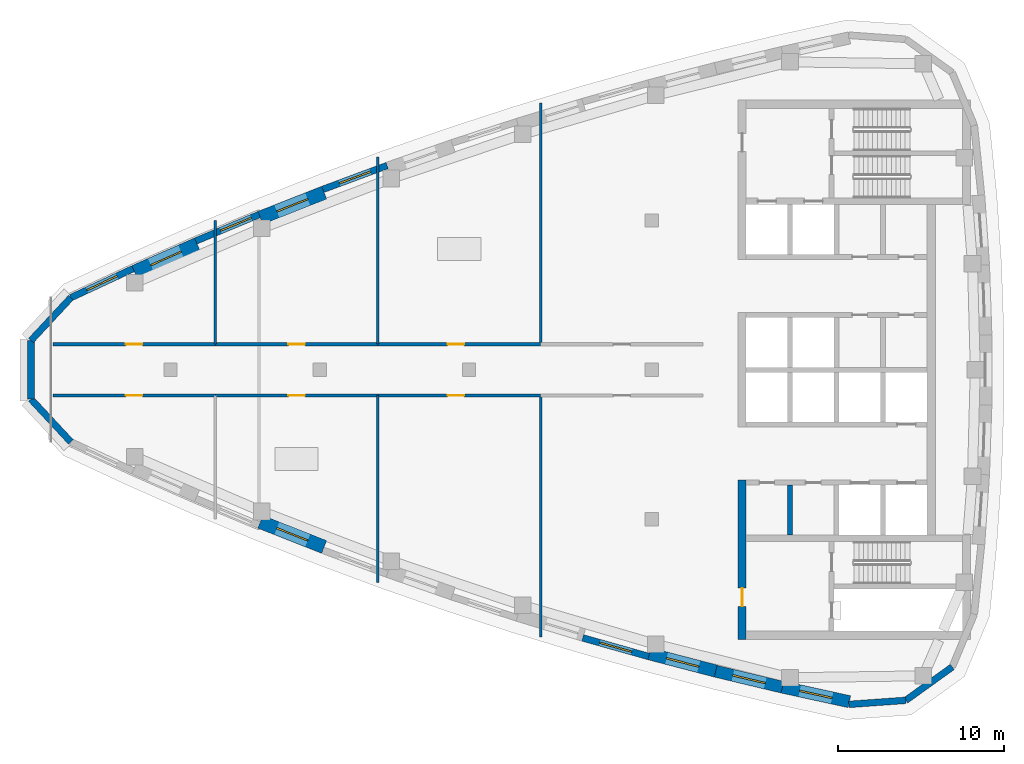
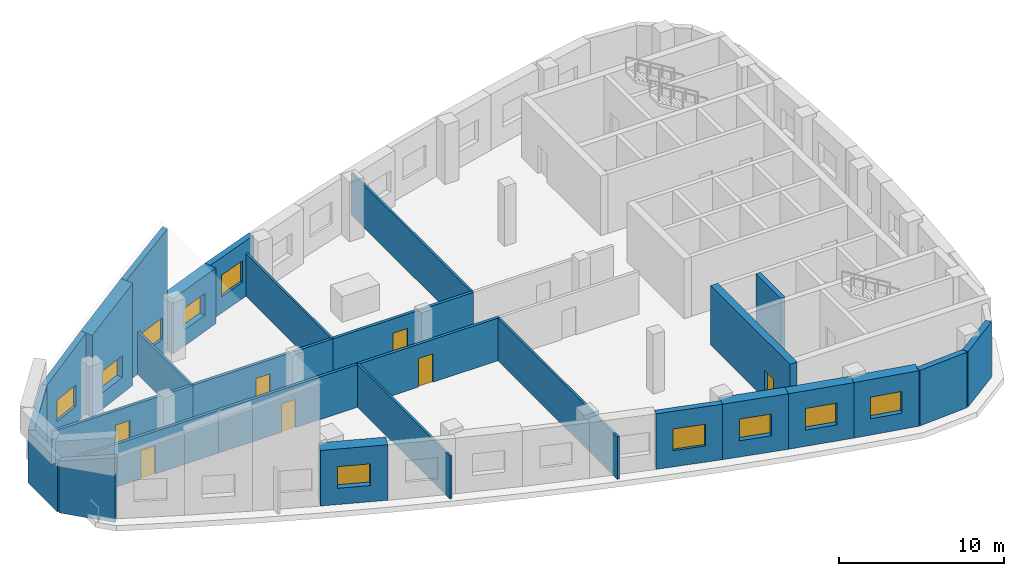
# One storey, part 2 of 7: 28 walls, 10 windows, 7 doors, 17 openings.
"""IFC4 building model written with IfcOpenShell, lengths in metres."""

from ifc_helpers import new_model, si_unit, direction, frame, frame_2d, origin, place, context, subcontext, project, spatial, polyline, rectangle, outline, extrude, material, layer, layer_set, type_object, element, fill, save


model = new_model("IFC4")

# Units and contexts
model_context = context("Model", 3, precision=1e-05, world=origin(), true_north=direction((0.0, 1.0)))
body_context = subcontext(model_context, "Body", "Model", "MODEL_VIEW")
ifc_project = project(units=[si_unit("LENGTHUNIT", "METRE"), si_unit("AREAUNIT", "SQUARE_METRE"), si_unit("VOLUMEUNIT", "CUBIC_METRE"), si_unit("PLANEANGLEUNIT", "RADIAN"), si_unit("MASSUNIT", "GRAM", prefix="KILO")], contexts=[model_context])

# Site, building, storey
site_placement = place(None, origin())
site = spatial("IfcSite", under=ifc_project, at=site_placement, CompositionType="ELEMENT")
building_placement = place(site_placement, origin())
building = spatial("IfcBuilding", under=site, at=building_placement, Name="Ostrand Prow Hotel Tower", CompositionType="ELEMENT")
storey_placement = place(building_placement, frame((0.0, 0.0, 323.0)))
storey = spatial("IfcBuildingStorey", under=building, at=storey_placement, Name="C4", CompositionType="ELEMENT", Elevation=323.0)

# Wall
ifc_material_1 = material(Name="Concrete C40/50", Category="concrete")
ifc_layer_1 = layer(ifc_material_1, 0.300048828125)
ifc_layer_set_1 = layer_set([ifc_layer_1], Name="Concrete C40/50")
wall_type_1 = type_object("IfcWallType", Name="Core wall 300 C40/50", PredefinedType="SHEAR", material=ifc_layer_set_1)
wall_1_placement = place(storey_placement, frame((53.35009765625, -9.949951171875, 0.0), z_axis=(0.0, 0.0, 1.0), x_axis=(0.0, 1.0, 0.0)))
element("IfcWall", 1, at=wall_1_placement, inside=storey, type_object=wall_type_1, Name="Core wall PW-R1-SA", PredefinedType="SHEAR", context=body_context, shape_type="SweptSolid", body=[
    extrude(rectangle(XDim=3.0, YDim=0.300048828125, at=frame_2d((1.5, 0.0))), origin(), (0.0, 0.0, 1.0), 4.39990234375),
])

# Wall, opening, door
ifc_material_2 = material(Name="Concrete C40/50", Category="concrete")
ifc_layer_2 = layer(ifc_material_2, 0.5)
ifc_layer_set_2 = layer_set([ifc_layer_2], Name="Concrete C40/50")
wall_type_2 = type_object("IfcWallType", Name="Core wall 500 C40/50", PredefinedType="SHEAR", material=ifc_layer_set_2)
wall_2_placement = place(storey_placement, frame((50.449951171875, -16.25, 0.0), z_axis=(0.0, 0.0, 1.0), x_axis=(0.0, 1.0, 0.0)))
wall_2 = element("IfcWall", 2, at=wall_2_placement, inside=storey, type_object=wall_type_2, Name="Core wall CW-W-S", PredefinedType="SHEAR", context=body_context, shape_type="SweptSolid", body=[
    extrude(rectangle(XDim=9.60009765625, YDim=0.5, at=frame_2d((4.800048828125, 0.0))), origin(), (0.0, 0.0, 1.0), 4.39990234375),
])
opening_1_placement = place(wall_2_placement, frame((2.0, 0.0, 0.0)))
opening_1 = element("IfcOpeningElement", 3, at=opening_1_placement, cuts=wall_2, Name="Opening FD1", PredefinedType="OPENING", context=body_context, shape_type="SweptSolid", body=[
    extrude(rectangle(XDim=1.10009765625, YDim=2.10009765625, at=frame_2d((0.550048828125, 1.050048828125))), frame((0.0, 0.260009765625, 0.0), z_axis=(0.0, -1.0, 0.0), x_axis=(1.0, 0.0, 0.0)), (0.0, 0.0, 1.0), 0.52001953125),
])
ifc_material_3 = material(Name="Steel fire door", Category="steel")
door_type_1 = type_object("IfcDoorType", Name="Fire door 1100 EI120", OperationType="SINGLE_SWING_RIGHT", PredefinedType="DOOR", material=ifc_material_3)
door_1_placement = place(opening_1_placement, origin())
door_1 = element("IfcDoor", 4, at=door_1_placement, inside=storey, type_object=door_type_1, Name="FIRE DOOR", OperationType="SINGLE_SWING_RIGHT", OverallHeight=2.10009765625, OverallWidth=1.10009765625, PredefinedType="DOOR", context=body_context, shape_type="SweptSolid", body=[
    extrude(rectangle(XDim=1.10009765625, YDim=2.10009765625, at=frame_2d((0.550048828125, 1.050048828125))), frame((0.0, 0.02490234375, 0.0), z_axis=(0.0, -1.0, 0.0), x_axis=(1.0, 0.0, 0.0)), (0.0, 0.0, 1.0), 0.050048828125),
])
fill(opening_1, door_1)

# Walls
ifc_material_4 = material(Name="Plasterboard partition")
ifc_layer_3 = layer(ifc_material_4, 0.14990234375)
ifc_layer_set_3 = layer_set([ifc_layer_3], Name="Plasterboard partition")
wall_type_3 = type_object("IfcWallType", Name="Partition 150 room partition", PredefinedType="PARTITIONING", material=ifc_layer_set_3)
wall_3_placement = place(storey_placement, frame((28.50537109375, -12.828857421875, 0.0), z_axis=(0.0, 0.0, 1.0), x_axis=(0.0, 1.0, 0.0)))
element("IfcWall", 5, at=wall_3_placement, inside=storey, type_object=wall_type_3, Name="ROOM PARTITION", PredefinedType="PARTITIONING", context=body_context, shape_type="SweptSolid", body=[
    extrude(rectangle(XDim=11.2861328125, YDim=0.14990234375, at=frame_2d((5.64306640625, 0.0))), origin(), (0.0, 0.0, 1.0), 3.14990234375),
])
wall_4_placement = place(storey_placement, frame((38.302734375, -16.09130859375, 0.0), z_axis=(0.0, 0.0, 1.0), x_axis=(0.0, 1.0, 0.0)))
element("IfcWall", 6, at=wall_4_placement, inside=storey, type_object=wall_type_3, Name="ROOM PARTITION", PredefinedType="PARTITIONING", context=body_context, shape_type="SweptSolid", body=[
    extrude(rectangle(XDim=14.548583984375, YDim=0.14990234375, at=frame_2d((7.2744140625, 0.0))), origin(), (0.0, 0.0, 1.0), 3.14990234375),
])
wall_5_placement = place(storey_placement, frame((18.708251953125, 1.542724609375, 0.0), z_axis=(0.0, 0.0, 1.0), x_axis=(0.0, 1.0, 0.0)))
element("IfcWall", 7, at=wall_5_placement, inside=storey, type_object=wall_type_3, Name="ROOM PARTITION", PredefinedType="PARTITIONING", context=body_context, shape_type="SweptSolid", body=[
    extrude(rectangle(XDim=7.448974609375, YDim=0.14990234375, at=frame_2d((3.724609375, 0.0))), origin(), (0.0, 0.0, 1.0), 3.14990234375),
])
wall_6_placement = place(storey_placement, frame((28.50537109375, 1.542724609375, 0.0), z_axis=(0.0, 0.0, 1.0), x_axis=(0.0, 1.0, 0.0)))
element("IfcWall", 8, at=wall_6_placement, inside=storey, type_object=wall_type_3, Name="ROOM PARTITION", PredefinedType="PARTITIONING", context=body_context, shape_type="SweptSolid", body=[
    extrude(rectangle(XDim=11.2861328125, YDim=0.14990234375, at=frame_2d((5.64306640625, 0.0))), origin(), (0.0, 0.0, 1.0), 3.14990234375),
])
wall_7_placement = place(storey_placement, frame((38.302734375, 1.542724609375, 0.0), z_axis=(0.0, 0.0, 1.0), x_axis=(0.0, 1.0, 0.0)))
element("IfcWall", 9, at=wall_7_placement, inside=storey, type_object=wall_type_3, Name="ROOM PARTITION", PredefinedType="PARTITIONING", context=body_context, shape_type="SweptSolid", body=[
    extrude(rectangle(XDim=14.548583984375, YDim=0.14990234375, at=frame_2d((7.2744140625, 0.0))), origin(), (0.0, 0.0, 1.0), 3.14990234375),
])

# Wall, opening, door
ifc_material_5 = material(Name="Plasterboard partition")
ifc_layer_4 = layer(ifc_material_5, 0.199951171875)
ifc_layer_set_4 = layer_set([ifc_layer_4], Name="Plasterboard partition")
wall_type_4 = type_object("IfcWallType", Name="Partition 200 corridor wall", PredefinedType="PARTITIONING", material=ifc_layer_set_4)
wall_8_placement = place(storey_placement, frame((8.910888671875, -1.542724609375, 0.0), z_axis=(0.0, 0.0, 1.0), x_axis=(1.0, 0.0, 0.0)))
wall_8 = element("IfcWall", 10, at=wall_8_placement, inside=storey, type_object=wall_type_4, Name="CORRIDOR WALL", PredefinedType="PARTITIONING", context=body_context, shape_type="SweptSolid", body=[
    extrude(rectangle(XDim=9.79736328125, YDim=0.199951171875, at=frame_2d((4.898681640625, 0.0))), origin(), (0.0, 0.0, 1.0), 3.14990234375),
])
opening_2_placement = place(wall_8_placement, frame((4.398681640625, 0.0, 0.0)))
opening_2 = element("IfcOpeningElement", 11, at=opening_2_placement, cuts=wall_8, Name="Opening D1", PredefinedType="OPENING", context=body_context, shape_type="SweptSolid", body=[
    extrude(rectangle(XDim=1.0, YDim=2.10009765625, at=frame_2d((0.5, 1.050048828125))), frame((0.0, 0.10986328125, 0.0), z_axis=(0.0, -1.0, 0.0), x_axis=(1.0, 0.0, 0.0)), (0.0, 0.0, 1.0), 0.219970703125),
])
ifc_material_6 = material(Name="Timber door leaf", Category="wood")
door_type_2 = type_object("IfcDoorType", Name="Guest room door 1000", OperationType="SINGLE_SWING_LEFT", PredefinedType="DOOR", material=ifc_material_6)
door_2_placement = place(opening_2_placement, origin())
door_2 = element("IfcDoor", 12, at=door_2_placement, inside=storey, type_object=door_type_2, Name="DOOR", OperationType="SINGLE_SWING_LEFT", OverallHeight=2.10009765625, OverallWidth=1.0, PredefinedType="DOOR", context=body_context, shape_type="SweptSolid", body=[
    extrude(rectangle(XDim=1.0, YDim=2.10009765625, at=frame_2d((0.5, 1.050048828125))), frame((0.0, 0.02490234375, 0.0), z_axis=(0.0, -1.0, 0.0), x_axis=(1.0, 0.0, 0.0)), (0.0, 0.0, 1.0), 0.050048828125),
])
fill(opening_2, door_2)

wall_9_placement = place(storey_placement, frame((18.708251953125, -1.542724609375, 0.0), z_axis=(0.0, 0.0, 1.0), x_axis=(1.0, 0.0, 0.0)))
wall_9 = element("IfcWall", 13, at=wall_9_placement, inside=storey, type_object=wall_type_4, Name="CORRIDOR WALL", PredefinedType="PARTITIONING", context=body_context, shape_type="SweptSolid", body=[
    extrude(rectangle(XDim=9.797119140625, YDim=0.199951171875, at=frame_2d((4.8984375, 0.0))), origin(), (0.0, 0.0, 1.0), 3.14990234375),
])
opening_3_placement = place(wall_9_placement, frame((4.398681640625, 0.0, 0.0)))
opening_3 = element("IfcOpeningElement", 14, at=opening_3_placement, cuts=wall_9, Name="Opening D1R", PredefinedType="OPENING", context=body_context, shape_type="SweptSolid", body=[
    extrude(rectangle(XDim=1.0, YDim=2.10009765625, at=frame_2d((0.5, 1.050048828125))), frame((0.0, 0.10986328125, 0.0), z_axis=(0.0, -1.0, 0.0), x_axis=(1.0, 0.0, 0.0)), (0.0, 0.0, 1.0), 0.219970703125),
])
ifc_material_7 = material(Name="Timber door leaf", Category="wood")
door_type_3 = type_object("IfcDoorType", Name="Guest room door 1000 right", OperationType="SINGLE_SWING_RIGHT", PredefinedType="DOOR", material=ifc_material_7)
door_3_placement = place(opening_3_placement, origin())
door_3 = element("IfcDoor", 15, at=door_3_placement, inside=storey, type_object=door_type_3, Name="DOOR", OperationType="SINGLE_SWING_RIGHT", OverallHeight=2.10009765625, OverallWidth=1.0, PredefinedType="DOOR", context=body_context, shape_type="SweptSolid", body=[
    extrude(rectangle(XDim=1.0, YDim=2.10009765625, at=frame_2d((0.5, 1.050048828125))), frame((0.0, 0.02490234375, 0.0), z_axis=(0.0, -1.0, 0.0), x_axis=(1.0, 0.0, 0.0)), (0.0, 0.0, 1.0), 0.050048828125),
])
fill(opening_3, door_3)

wall_10_placement = place(storey_placement, frame((28.50537109375, -1.542724609375, 0.0), z_axis=(0.0, 0.0, 1.0), x_axis=(1.0, 0.0, 0.0)))
wall_10 = element("IfcWall", 16, at=wall_10_placement, inside=storey, type_object=wall_type_4, Name="CORRIDOR WALL", PredefinedType="PARTITIONING", context=body_context, shape_type="SweptSolid", body=[
    extrude(rectangle(XDim=9.79736328125, YDim=0.199951171875, at=frame_2d((4.898681640625, 0.0))), origin(), (0.0, 0.0, 1.0), 3.14990234375),
])
opening_4_placement = place(wall_10_placement, frame((4.199951171875, 0.0, 0.0)))
opening_4 = element("IfcOpeningElement", 17, at=opening_4_placement, cuts=wall_10, Name="Opening D1", PredefinedType="OPENING", context=body_context, shape_type="SweptSolid", body=[
    extrude(rectangle(XDim=1.0, YDim=2.10009765625, at=frame_2d((0.5, 1.050048828125))), frame((0.0, 0.10986328125, 0.0), z_axis=(0.0, -1.0, 0.0), x_axis=(1.0, 0.0, 0.0)), (0.0, 0.0, 1.0), 0.219970703125),
])
door_4_placement = place(opening_4_placement, origin())
door_4 = element("IfcDoor", 18, at=door_4_placement, inside=storey, type_object=door_type_2, Name="DOOR", OperationType="SINGLE_SWING_LEFT", OverallHeight=2.10009765625, OverallWidth=1.0, PredefinedType="DOOR", context=body_context, shape_type="SweptSolid", body=[
    extrude(rectangle(XDim=1.0, YDim=2.10009765625, at=frame_2d((0.5, 1.050048828125))), frame((0.0, 0.02490234375, 0.0), z_axis=(0.0, -1.0, 0.0), x_axis=(1.0, 0.0, 0.0)), (0.0, 0.0, 1.0), 0.050048828125),
])
fill(opening_4, door_4)

wall_11_placement = place(storey_placement, frame((8.910888671875, 1.542724609375, 0.0), z_axis=(0.0, 0.0, 1.0), x_axis=(1.0, 0.0, 0.0)))
wall_11 = element("IfcWall", 19, at=wall_11_placement, inside=storey, type_object=wall_type_4, Name="CORRIDOR WALL", PredefinedType="PARTITIONING", context=body_context, shape_type="SweptSolid", body=[
    extrude(rectangle(XDim=9.79736328125, YDim=0.199951171875, at=frame_2d((4.898681640625, 0.0))), origin(), (0.0, 0.0, 1.0), 3.14990234375),
])
opening_5_placement = place(wall_11_placement, frame((4.398681640625, 0.0, 0.0)))
opening_5 = element("IfcOpeningElement", 20, at=opening_5_placement, cuts=wall_11, Name="Opening D1", PredefinedType="OPENING", context=body_context, shape_type="SweptSolid", body=[
    extrude(rectangle(XDim=1.0, YDim=2.10009765625, at=frame_2d((0.5, 1.050048828125))), frame((0.0, 0.10986328125, 0.0), z_axis=(0.0, -1.0, 0.0), x_axis=(1.0, 0.0, 0.0)), (0.0, 0.0, 1.0), 0.219970703125),
])
door_5_placement = place(opening_5_placement, origin())
door_5 = element("IfcDoor", 21, at=door_5_placement, inside=storey, type_object=door_type_2, Name="DOOR", OperationType="SINGLE_SWING_LEFT", OverallHeight=2.10009765625, OverallWidth=1.0, PredefinedType="DOOR", context=body_context, shape_type="SweptSolid", body=[
    extrude(rectangle(XDim=1.0, YDim=2.10009765625, at=frame_2d((0.5, 1.050048828125))), frame((0.0, 0.02490234375, 0.0), z_axis=(0.0, -1.0, 0.0), x_axis=(1.0, 0.0, 0.0)), (0.0, 0.0, 1.0), 0.050048828125),
])
fill(opening_5, door_5)

wall_12_placement = place(storey_placement, frame((18.708251953125, 1.542724609375, 0.0), z_axis=(0.0, 0.0, 1.0), x_axis=(1.0, 0.0, 0.0)))
wall_12 = element("IfcWall", 22, at=wall_12_placement, inside=storey, type_object=wall_type_4, Name="CORRIDOR WALL", PredefinedType="PARTITIONING", context=body_context, shape_type="SweptSolid", body=[
    extrude(rectangle(XDim=9.797119140625, YDim=0.199951171875, at=frame_2d((4.8984375, 0.0))), origin(), (0.0, 0.0, 1.0), 3.14990234375),
])
opening_6_placement = place(wall_12_placement, frame((4.398681640625, 0.0, 0.0)))
opening_6 = element("IfcOpeningElement", 23, at=opening_6_placement, cuts=wall_12, Name="Opening D1R", PredefinedType="OPENING", context=body_context, shape_type="SweptSolid", body=[
    extrude(rectangle(XDim=1.0, YDim=2.10009765625, at=frame_2d((0.5, 1.050048828125))), frame((0.0, 0.10986328125, 0.0), z_axis=(0.0, -1.0, 0.0), x_axis=(1.0, 0.0, 0.0)), (0.0, 0.0, 1.0), 0.219970703125),
])
door_6_placement = place(opening_6_placement, origin())
door_6 = element("IfcDoor", 24, at=door_6_placement, inside=storey, type_object=door_type_3, Name="DOOR", OperationType="SINGLE_SWING_RIGHT", OverallHeight=2.10009765625, OverallWidth=1.0, PredefinedType="DOOR", context=body_context, shape_type="SweptSolid", body=[
    extrude(rectangle(XDim=1.0, YDim=2.10009765625, at=frame_2d((0.5, 1.050048828125))), frame((0.0, 0.02490234375, 0.0), z_axis=(0.0, -1.0, 0.0), x_axis=(1.0, 0.0, 0.0)), (0.0, 0.0, 1.0), 0.050048828125),
])
fill(opening_6, door_6)

wall_13_placement = place(storey_placement, frame((28.50537109375, 1.542724609375, 0.0), z_axis=(0.0, 0.0, 1.0), x_axis=(1.0, 0.0, 0.0)))
wall_13 = element("IfcWall", 25, at=wall_13_placement, inside=storey, type_object=wall_type_4, Name="CORRIDOR WALL", PredefinedType="PARTITIONING", context=body_context, shape_type="SweptSolid", body=[
    extrude(rectangle(XDim=9.79736328125, YDim=0.199951171875, at=frame_2d((4.898681640625, 0.0))), origin(), (0.0, 0.0, 1.0), 3.14990234375),
])
opening_7_placement = place(wall_13_placement, frame((4.199951171875, 0.0, 0.0)))
opening_7 = element("IfcOpeningElement", 26, at=opening_7_placement, cuts=wall_13, Name="Opening D1", PredefinedType="OPENING", context=body_context, shape_type="SweptSolid", body=[
    extrude(rectangle(XDim=1.0, YDim=2.10009765625, at=frame_2d((0.5, 1.050048828125))), frame((0.0, 0.10986328125, 0.0), z_axis=(0.0, -1.0, 0.0), x_axis=(1.0, 0.0, 0.0)), (0.0, 0.0, 1.0), 0.219970703125),
])
door_7_placement = place(opening_7_placement, origin())
door_7 = element("IfcDoor", 27, at=door_7_placement, inside=storey, type_object=door_type_2, Name="DOOR", OperationType="SINGLE_SWING_LEFT", OverallHeight=2.10009765625, OverallWidth=1.0, PredefinedType="DOOR", context=body_context, shape_type="SweptSolid", body=[
    extrude(rectangle(XDim=1.0, YDim=2.10009765625, at=frame_2d((0.5, 1.050048828125))), frame((0.0, 0.02490234375, 0.0), z_axis=(0.0, -1.0, 0.0), x_axis=(1.0, 0.0, 0.0)), (0.0, 0.0, 1.0), 0.050048828125),
])
fill(opening_7, door_7)

# Walls
ifc_material_8 = material(Name="Precast concrete C40/50", Category="concrete")
ifc_layer_5 = layer(ifc_material_8, 0.39990234375)
ifc_layer_set_5 = layer_set([ifc_layer_5], Name="Precast concrete C40/50")
wall_type_5 = type_object("IfcWallType", Name="Stone-faced precast wall 400 mm", PredefinedType="NOTDEFINED", material=ifc_layer_set_5)
wall_14_placement = place(storey_placement, frame((10.003662109375, 4.3486328125, -0.300048828125), z_axis=(0.0, 0.0, 1.0), x_axis=(-0.681521989242, -0.731797634719, 0.0)))
element("IfcWall", 28, at=wall_14_placement, inside=storey, type_object=wall_type_5, Name="Crown side wall A 1", PredefinedType="NOTDEFINED", context=body_context, shape_type="SweptSolid", body=[
    extrude(outline(polyline([(0.0, 0.0), (3.5302734375, 0.0), (3.5302734375, 3.829345703125), (0.0, 4.801513671875), (0.0, 0.0)])), frame((0.0, 0.199951171875, 0.0), z_axis=(0.0, -1.0, 0.0), x_axis=(1.0, 0.0, 0.0)), (0.0, 0.0, 1.0), 0.39990234375),
])
wall_15_placement = place(storey_placement, frame((7.59765625, 1.76513671875, -0.300048828125), z_axis=(0.0, 0.0, 1.0), x_axis=(0.0, -1.0, 0.0)))
element("IfcWall", 29, at=wall_15_placement, inside=storey, type_object=wall_type_5, Name="Crown side wall A 2", PredefinedType="NOTDEFINED", context=body_context, shape_type="SweptSolid", body=[
    extrude(outline(polyline([(0.0, 0.0), (3.5302734375, 0.0), (3.5302734375, 3.829345703125), (0.0, 3.829345703125), (0.0, 0.0)])), frame((0.0, 0.199951171875, 0.0), z_axis=(0.0, -1.0, 0.0), x_axis=(1.0, 0.0, 0.0)), (0.0, 0.0, 1.0), 0.39990234375),
])
wall_16_placement = place(storey_placement, frame((7.59765625, -1.76513671875, -0.300048828125), z_axis=(0.0, 0.0, 1.0), x_axis=(0.681521989242, -0.731797634719, 0.0)))
element("IfcWall", 30, at=wall_16_placement, inside=storey, type_object=wall_type_5, Name="Crown side wall A 3", PredefinedType="NOTDEFINED", context=body_context, shape_type="SweptSolid", body=[
    extrude(outline(polyline([(0.0, 0.0), (3.5302734375, 0.0), (3.5302734375, 4.801513671875), (0.0, 3.829345703125), (0.0, 0.0)])), frame((0.0, 0.199951171875, 0.0), z_axis=(0.0, -1.0, 0.0), x_axis=(1.0, 0.0, 0.0)), (0.0, 0.0, 1.0), 0.39990234375),
])

# Wall, opening, window
wall_17_placement = place(storey_placement, frame((21.422119140625, -9.156005859375, 0.0), z_axis=(0.0, 0.0, 1.0), x_axis=(0.930294795216, -0.366812750587, 0.0)))
wall_17 = element("IfcWall", 31, at=wall_17_placement, inside=storey, type_object=wall_type_5, Name="Crown side wall C4 7", PredefinedType="NOTDEFINED", context=body_context, shape_type="SweptSolid", body=[
    extrude(rectangle(XDim=4.132568359375, YDim=0.82958984375, at=frame_2d((2.06640625, 0.0))), origin(), (0.0, 0.0, 1.0), 4.10009765625),
])
opening_8_placement = place(wall_17_placement, frame((1.06640625, 0.0, 1.199951171875)))
opening_8 = element("IfcOpeningElement", 32, at=opening_8_placement, cuts=wall_17, Name="Opening WV1", PredefinedType="OPENING", context=body_context, shape_type="SweptSolid", body=[
    extrude(rectangle(XDim=2.0, YDim=1.60009765625, at=frame_2d((1.0, 0.800048828125))), frame((0.0, 0.4248046875, 0.0), z_axis=(0.0, -1.0, 0.0), x_axis=(1.0, 0.0, 0.0)), (0.0, 0.0, 1.0), 0.849609375),
])
ifc_material_9 = material(Name="Bronze anodised aluminium louvre", Category="aluminium")
window_type = type_object("IfcWindowType", Name="Louvre vent 2000x1600", PartitioningType="SINGLE_PANEL", PredefinedType="WINDOW", material=ifc_material_9)
window_1_placement = place(opening_8_placement, origin())
window_1 = element("IfcWindow", 33, at=window_1_placement, inside=storey, type_object=window_type, Name="Louvre vent 7.1", OverallHeight=1.60009765625, OverallWidth=2.0, PartitioningType="SINGLE_PANEL", PredefinedType="WINDOW", context=body_context, shape_type="SweptSolid", body=[
    extrude(rectangle(XDim=2.0, YDim=1.60009765625, at=frame_2d((1.0, 0.800048828125))), frame((0.0, 0.030029296875, 0.0), z_axis=(0.0, -1.0, 0.0), x_axis=(1.0, 0.0, 0.0)), (0.0, 0.0, 1.0), 0.06005859375),
])
fill(opening_8, window_1)

wall_18_placement = place(storey_placement, frame((40.846435546875, -16.154296875, 0.0), z_axis=(0.0, 0.0, 1.0), x_axis=(0.962397415317, -0.27164538463, 0.0)))
wall_18 = element("IfcWall", 34, at=wall_18_placement, inside=storey, type_object=wall_type_5, Name="Crown side wall C4 12", PredefinedType="NOTDEFINED", context=body_context, shape_type="SweptSolid", body=[
    extrude(rectangle(XDim=4.13232421875, YDim=0.39990234375, at=frame_2d((2.066162109375, 0.0))), origin(), (0.0, 0.0, 1.0), 4.10009765625),
])
opening_9_placement = place(wall_18_placement, frame((1.06640625, 0.0, 1.199951171875)))
opening_9 = element("IfcOpeningElement", 35, at=opening_9_placement, cuts=wall_18, Name="Opening WV1", PredefinedType="OPENING", context=body_context, shape_type="SweptSolid", body=[
    extrude(rectangle(XDim=2.0, YDim=1.60009765625, at=frame_2d((1.0, 0.800048828125))), frame((0.0, 0.2099609375, 0.0), z_axis=(0.0, -1.0, 0.0), x_axis=(1.0, 0.0, 0.0)), (0.0, 0.0, 1.0), 0.419921875),
])
window_2_placement = place(opening_9_placement, origin())
window_2 = element("IfcWindow", 36, at=window_2_placement, inside=storey, type_object=window_type, Name="Louvre vent 12.1", OverallHeight=1.60009765625, OverallWidth=2.0, PartitioningType="SINGLE_PANEL", PredefinedType="WINDOW", context=body_context, shape_type="SweptSolid", body=[
    extrude(rectangle(XDim=2.0, YDim=1.60009765625, at=frame_2d((1.0, 0.800048828125))), frame((0.0, 0.030029296875, 0.0), z_axis=(0.0, -1.0, 0.0), x_axis=(1.0, 0.0, 0.0)), (0.0, 0.0, 1.0), 0.06005859375),
])
fill(opening_9, window_2)

wall_19_placement = place(storey_placement, frame((44.8671875, -17.110107421875, 0.0), z_axis=(0.0, 0.0, 1.0), x_axis=(0.967657413064, -0.252267974466, 0.0)))
wall_19 = element("IfcWall", 37, at=wall_19_placement, inside=storey, type_object=wall_type_5, Name="Crown side wall C4 13", PredefinedType="NOTDEFINED", context=body_context, shape_type="SweptSolid", body=[
    extrude(rectangle(XDim=4.13232421875, YDim=0.74462890625, at=frame_2d((2.066162109375, 0.0))), origin(), (0.0, 0.0, 1.0), 4.10009765625),
])
opening_10_placement = place(wall_19_placement, frame((1.06640625, 0.0, 1.199951171875)))
opening_10 = element("IfcOpeningElement", 38, at=opening_10_placement, cuts=wall_19, Name="Opening WV1", PredefinedType="OPENING", context=body_context, shape_type="SweptSolid", body=[
    extrude(rectangle(XDim=2.0, YDim=1.60009765625, at=frame_2d((1.0, 0.800048828125))), frame((0.0, 0.38232421875, 0.0), z_axis=(0.0, -1.0, 0.0), x_axis=(1.0, 0.0, 0.0)), (0.0, 0.0, 1.0), 0.7646484375),
])
window_3_placement = place(opening_10_placement, origin())
window_3 = element("IfcWindow", 39, at=window_3_placement, inside=storey, type_object=window_type, Name="Louvre vent 13.1", OverallHeight=1.60009765625, OverallWidth=2.0, PartitioningType="SINGLE_PANEL", PredefinedType="WINDOW", context=body_context, shape_type="SweptSolid", body=[
    extrude(rectangle(XDim=2.0, YDim=1.60009765625, at=frame_2d((1.0, 0.800048828125))), frame((0.0, 0.030029296875, 0.0), z_axis=(0.0, -1.0, 0.0), x_axis=(1.0, 0.0, 0.0)), (0.0, 0.0, 1.0), 0.06005859375),
])
fill(opening_10, window_3)

wall_20_placement = place(storey_placement, frame((48.85986328125, -18.163330078125, 0.0), z_axis=(0.0, 0.0, 1.0), x_axis=(0.972546345517, -0.232709273174, 0.0)))
wall_20 = element("IfcWall", 40, at=wall_20_placement, inside=storey, type_object=wall_type_5, Name="Crown side wall C4 14", PredefinedType="NOTDEFINED", context=body_context, shape_type="SweptSolid", body=[
    extrude(rectangle(XDim=4.132568359375, YDim=0.720703125, at=frame_2d((2.06640625, 0.0))), origin(), (0.0, 0.0, 1.0), 4.10009765625),
])
opening_11_placement = place(wall_20_placement, frame((1.06640625, 0.0, 1.199951171875)))
opening_11 = element("IfcOpeningElement", 41, at=opening_11_placement, cuts=wall_20, Name="Opening WV1", PredefinedType="OPENING", context=body_context, shape_type="SweptSolid", body=[
    extrude(rectangle(XDim=2.0, YDim=1.60009765625, at=frame_2d((1.0, 0.800048828125))), frame((0.0, 0.370361328125, 0.0), z_axis=(0.0, -1.0, 0.0), x_axis=(1.0, 0.0, 0.0)), (0.0, 0.0, 1.0), 0.74072265625),
])
window_4_placement = place(opening_11_placement, origin())
window_4 = element("IfcWindow", 42, at=window_4_placement, inside=storey, type_object=window_type, Name="Louvre vent 14.1", OverallHeight=1.60009765625, OverallWidth=2.0, PartitioningType="SINGLE_PANEL", PredefinedType="WINDOW", context=body_context, shape_type="SweptSolid", body=[
    extrude(rectangle(XDim=2.0, YDim=1.60009765625, at=frame_2d((1.0, 0.800048828125))), frame((0.0, 0.030029296875, 0.0), z_axis=(0.0, -1.0, 0.0), x_axis=(1.0, 0.0, 0.0)), (0.0, 0.0, 1.0), 0.06005859375),
])
fill(opening_11, window_4)

wall_21_placement = place(storey_placement, frame((52.876953125, -19.11865234375, 0.0), z_axis=(0.0, 0.0, 1.0), x_axis=(0.977019340581, -0.213150670022, 0.0)))
wall_21 = element("IfcWall", 43, at=wall_21_placement, inside=storey, type_object=wall_type_5, Name="Crown side wall C4 15", PredefinedType="NOTDEFINED", context=body_context, shape_type="SweptSolid", body=[
    extrude(rectangle(XDim=4.132568359375, YDim=0.732666015625, at=frame_2d((2.06640625, 0.0))), origin(), (0.0, 0.0, 1.0), 4.10009765625),
])
opening_12_placement = place(wall_21_placement, frame((1.06640625, 0.0, 1.199951171875)))
opening_12 = element("IfcOpeningElement", 44, at=opening_12_placement, cuts=wall_21, Name="Opening WV1", PredefinedType="OPENING", context=body_context, shape_type="SweptSolid", body=[
    extrude(rectangle(XDim=2.0, YDim=1.60009765625, at=frame_2d((1.0, 0.800048828125))), frame((0.0, 0.376220703125, 0.0), z_axis=(0.0, -1.0, 0.0), x_axis=(1.0, 0.0, 0.0)), (0.0, 0.0, 1.0), 0.752685546875),
])
window_5_placement = place(opening_12_placement, origin())
window_5 = element("IfcWindow", 45, at=window_5_placement, inside=storey, type_object=window_type, Name="Louvre vent 15.1", OverallHeight=1.60009765625, OverallWidth=2.0, PartitioningType="SINGLE_PANEL", PredefinedType="WINDOW", context=body_context, shape_type="SweptSolid", body=[
    extrude(rectangle(XDim=2.0, YDim=1.60009765625, at=frame_2d((1.0, 0.800048828125))), frame((0.0, 0.030029296875, 0.0), z_axis=(0.0, -1.0, 0.0), x_axis=(1.0, 0.0, 0.0)), (0.0, 0.0, 1.0), 0.06005859375),
])
fill(opening_12, window_5)

# Walls
wall_22_placement = place(storey_placement, frame((56.87890625, -20.161865234375, 0.0), z_axis=(0.0, 0.0, 1.0), x_axis=(0.997465171407, 0.071156389945, 0.0)))
element("IfcWall", 46, at=wall_22_placement, inside=storey, type_object=wall_type_5, Name="Crown side wall C4 16", PredefinedType="NOTDEFINED", context=body_context, shape_type="SweptSolid", body=[
    extrude(rectangle(XDim=3.44482421875, YDim=0.39990234375, at=frame_2d((1.722412109375, 0.0))), origin(), (0.0, 0.0, 1.0), 4.10009765625),
])
wall_23_placement = place(storey_placement, frame((60.31494140625, -19.916748046875, 0.0), z_axis=(0.0, 0.0, 1.0), x_axis=(0.811948187253, 0.583729510319, 0.0)))
element("IfcWall", 47, at=wall_23_placement, inside=storey, type_object=wall_type_5, Name="Crown side wall C4 17", PredefinedType="NOTDEFINED", context=body_context, shape_type="SweptSolid", body=[
    extrude(rectangle(XDim=3.444580078125, YDim=0.39990234375, at=frame_2d((1.72216796875, 0.0))), origin(), (0.0, 0.0, 1.0), 4.10009765625),
])

# Wall, opening, window
wall_24_placement = place(storey_placement, frame((29.061767578125, 12.31005859375, 0.0), z_axis=(0.0, 0.0, 1.0), x_axis=(-0.937460527937, -0.348091595072, 0.0)))
wall_24 = element("IfcWall", 48, at=wall_24_placement, inside=storey, type_object=wall_type_5, Name="Crown side wall C4 36", PredefinedType="NOTDEFINED", context=body_context, shape_type="SweptSolid", body=[
    extrude(rectangle(XDim=4.132568359375, YDim=0.39990234375, at=frame_2d((2.06640625, 0.0))), origin(), (0.0, 0.0, 1.0), 4.10009765625),
])
opening_13_placement = place(wall_24_placement, frame((1.06640625, 0.0, 1.199951171875)))
opening_13 = element("IfcOpeningElement", 49, at=opening_13_placement, cuts=wall_24, Name="Opening WV1", PredefinedType="OPENING", context=body_context, shape_type="SweptSolid", body=[
    extrude(rectangle(XDim=2.0, YDim=1.60009765625, at=frame_2d((1.0, 0.800048828125))), frame((0.0, 0.2099609375, 0.0), z_axis=(0.0, -1.0, 0.0), x_axis=(1.0, 0.0, 0.0)), (0.0, 0.0, 1.0), 0.419921875),
])
window_6_placement = place(opening_13_placement, origin())
window_6 = element("IfcWindow", 50, at=window_6_placement, inside=storey, type_object=window_type, Name="Louvre vent 36.1", OverallHeight=1.60009765625, OverallWidth=2.0, PartitioningType="SINGLE_PANEL", PredefinedType="WINDOW", context=body_context, shape_type="SweptSolid", body=[
    extrude(rectangle(XDim=2.0, YDim=1.60009765625, at=frame_2d((1.0, 0.800048828125))), frame((0.0, 0.030029296875, 0.0), z_axis=(0.0, -1.0, 0.0), x_axis=(1.0, 0.0, 0.0)), (0.0, 0.0, 1.0), 0.06005859375),
])
fill(opening_13, window_6)

wall_25_placement = place(storey_placement, frame((25.2666015625, 10.671875, 0.0), z_axis=(0.0, 0.0, 1.0), x_axis=(-0.930294795216, -0.366812750587, 0.0)))
wall_25 = element("IfcWall", 51, at=wall_25_placement, inside=storey, type_object=wall_type_5, Name="Crown side wall C4 37", PredefinedType="NOTDEFINED", context=body_context, shape_type="SweptSolid", body=[
    extrude(rectangle(XDim=4.132568359375, YDim=0.82958984375, at=frame_2d((2.06640625, 0.0))), origin(), (0.0, 0.0, 1.0), 4.10009765625),
])
opening_14_placement = place(wall_25_placement, frame((1.06640625, 0.0, 1.199951171875)))
opening_14 = element("IfcOpeningElement", 52, at=opening_14_placement, cuts=wall_25, Name="Opening WV1", PredefinedType="OPENING", context=body_context, shape_type="SweptSolid", body=[
    extrude(rectangle(XDim=2.0, YDim=1.60009765625, at=frame_2d((1.0, 0.800048828125))), frame((0.0, 0.4248046875, 0.0), z_axis=(0.0, -1.0, 0.0), x_axis=(1.0, 0.0, 0.0)), (0.0, 0.0, 1.0), 0.849609375),
])
window_7_placement = place(opening_14_placement, origin())
window_7 = element("IfcWindow", 53, at=window_7_placement, inside=storey, type_object=window_type, Name="Louvre vent 37.1", OverallHeight=1.60009765625, OverallWidth=2.0, PartitioningType="SINGLE_PANEL", PredefinedType="WINDOW", context=body_context, shape_type="SweptSolid", body=[
    extrude(rectangle(XDim=2.0, YDim=1.60009765625, at=frame_2d((1.0, 0.800048828125))), frame((0.0, 0.030029296875, 0.0), z_axis=(0.0, -1.0, 0.0), x_axis=(1.0, 0.0, 0.0)), (0.0, 0.0, 1.0), 0.06005859375),
])
fill(opening_14, window_7)

wall_26_placement = place(storey_placement, frame((21.34326171875, 9.355712890625, 0.0), z_axis=(0.0, 0.0, 1.0), x_axis=(-0.922718217389, -0.385475150039, 0.0)))
wall_26 = element("IfcWall", 54, at=wall_26_placement, inside=storey, type_object=wall_type_5, Name="Crown side wall C4 38", PredefinedType="NOTDEFINED", context=body_context, shape_type="SweptSolid", body=[
    extrude(outline(polyline([(0.0, 0.0), (4.132568359375, 0.0), (4.132568359375, 7.542236328125), (0.0, 9.082763671875), (0.0, 0.0)])), frame((0.0, 0.199951171875, 0.0), z_axis=(0.0, -1.0, 0.0), x_axis=(1.0, 0.0, 0.0)), (0.0, 0.0, 1.0), 0.39990234375),
])
opening_15_placement = place(wall_26_placement, frame((0.516357421875, 0.0, 1.199951171875)))
opening_15 = element("IfcOpeningElement", 55, at=opening_15_placement, cuts=wall_26, Name="Opening WV1", PredefinedType="OPENING", context=body_context, shape_type="SweptSolid", body=[
    extrude(rectangle(XDim=2.0, YDim=1.60009765625, at=frame_2d((1.0, 0.800048828125))), frame((0.0, 0.2099609375, 0.0), z_axis=(0.0, -1.0, 0.0), x_axis=(1.0, 0.0, 0.0)), (0.0, 0.0, 1.0), 0.419921875),
])
window_8_placement = place(opening_15_placement, origin())
window_8 = element("IfcWindow", 56, at=window_8_placement, inside=storey, type_object=window_type, Name="Louvre vent 38.1", OverallHeight=1.60009765625, OverallWidth=2.0, PartitioningType="SINGLE_PANEL", PredefinedType="WINDOW", context=body_context, shape_type="SweptSolid", body=[
    extrude(rectangle(XDim=2.0, YDim=1.60009765625, at=frame_2d((1.0, 0.800048828125))), frame((0.0, 0.030029296875, 0.0), z_axis=(0.0, -1.0, 0.0), x_axis=(1.0, 0.0, 0.0)), (0.0, 0.0, 1.0), 0.06005859375),
])
fill(opening_15, window_8)

wall_27_placement = place(storey_placement, frame((17.625732421875, 7.546142578125, 0.0), z_axis=(0.0, 0.0, 1.0), x_axis=(-0.914768867085, -0.403977622909, 0.0)))
wall_27 = element("IfcWall", 57, at=wall_27_placement, inside=storey, type_object=wall_type_5, Name="Crown side wall C4 39", PredefinedType="NOTDEFINED", context=body_context, shape_type="SweptSolid", body=[
    extrude(outline(polyline([(0.0, 0.0), (4.132568359375, 0.0), (4.132568359375, 6.014892578125), (0.0, 7.542236328125), (0.0, 0.0)])), frame((0.0, 0.43701171875, 0.0), z_axis=(0.0, -1.0, 0.0), x_axis=(1.0, 0.0, 0.0)), (0.0, 0.0, 1.0), 0.873779296875),
])
opening_16_placement = place(wall_27_placement, frame((1.06640625, 0.0, 1.199951171875)))
opening_16 = element("IfcOpeningElement", 58, at=opening_16_placement, cuts=wall_27, Name="Opening WV1", PredefinedType="OPENING", context=body_context, shape_type="SweptSolid", body=[
    extrude(rectangle(XDim=2.0, YDim=1.60009765625, at=frame_2d((1.0, 0.800048828125))), frame((0.0, 0.44677734375, 0.0), z_axis=(0.0, -1.0, 0.0), x_axis=(1.0, 0.0, 0.0)), (0.0, 0.0, 1.0), 0.893798828125),
])
window_9_placement = place(opening_16_placement, origin())
window_9 = element("IfcWindow", 59, at=window_9_placement, inside=storey, type_object=window_type, Name="Louvre vent 39.1", OverallHeight=1.60009765625, OverallWidth=2.0, PartitioningType="SINGLE_PANEL", PredefinedType="WINDOW", context=body_context, shape_type="SweptSolid", body=[
    extrude(rectangle(XDim=2.0, YDim=1.60009765625, at=frame_2d((1.0, 0.800048828125))), frame((0.0, 0.030029296875, 0.0), z_axis=(0.0, -1.0, 0.0), x_axis=(1.0, 0.0, 0.0)), (0.0, 0.0, 1.0), 0.06005859375),
])
fill(opening_16, window_9)

wall_28_placement = place(storey_placement, frame((13.749755859375, 6.093505859375, 0.0), z_axis=(0.0, 0.0, 1.0), x_axis=(-0.906489287232, -0.422228814902, 0.0)))
wall_28 = element("IfcWall", 60, at=wall_28_placement, inside=storey, type_object=wall_type_5, Name="Crown side wall C4 40", PredefinedType="NOTDEFINED", context=body_context, shape_type="SweptSolid", body=[
    extrude(outline(polyline([(0.0, 0.0), (4.132568359375, 0.0), (4.132568359375, 4.50146484375), (0.0, 6.014892578125), (0.0, 0.0)])), frame((0.0, 0.199951171875, 0.0), z_axis=(0.0, -1.0, 0.0), x_axis=(1.0, 0.0, 0.0)), (0.0, 0.0, 1.0), 0.39990234375),
])
opening_17_placement = place(wall_28_placement, frame((1.06640625, 0.0, 1.199951171875)))
opening_17 = element("IfcOpeningElement", 61, at=opening_17_placement, cuts=wall_28, Name="Opening WV1", PredefinedType="OPENING", context=body_context, shape_type="SweptSolid", body=[
    extrude(rectangle(XDim=2.0, YDim=1.60009765625, at=frame_2d((1.0, 0.800048828125))), frame((0.0, 0.2099609375, 0.0), z_axis=(0.0, -1.0, 0.0), x_axis=(1.0, 0.0, 0.0)), (0.0, 0.0, 1.0), 0.419921875),
])
window_10_placement = place(opening_17_placement, origin())
window_10 = element("IfcWindow", 62, at=window_10_placement, inside=storey, type_object=window_type, Name="Louvre vent 40.1", OverallHeight=1.60009765625, OverallWidth=2.0, PartitioningType="SINGLE_PANEL", PredefinedType="WINDOW", context=body_context, shape_type="SweptSolid", body=[
    extrude(rectangle(XDim=2.0, YDim=1.60009765625, at=frame_2d((1.0, 0.800048828125))), frame((0.0, 0.030029296875, 0.0), z_axis=(0.0, -1.0, 0.0), x_axis=(1.0, 0.0, 0.0)), (0.0, 0.0, 1.0), 0.06005859375),
])
fill(opening_17, window_10)

save(model, "model.ifc")
